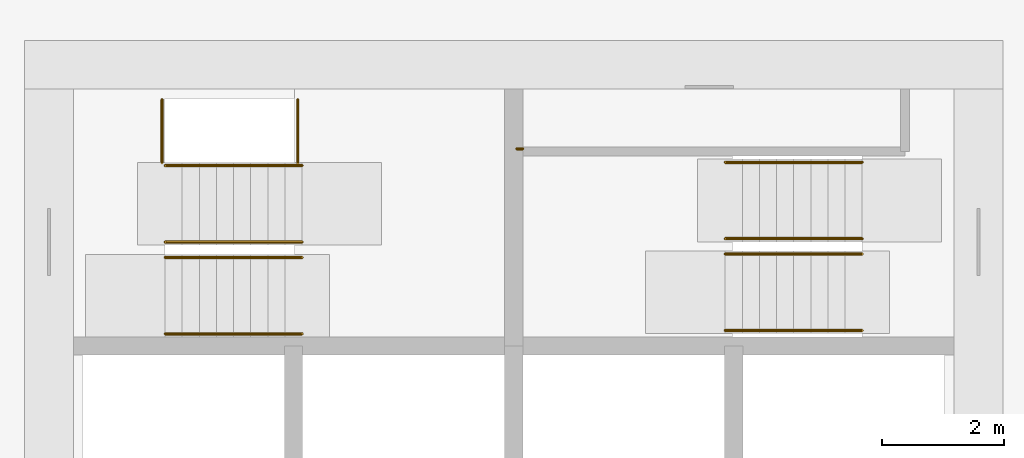
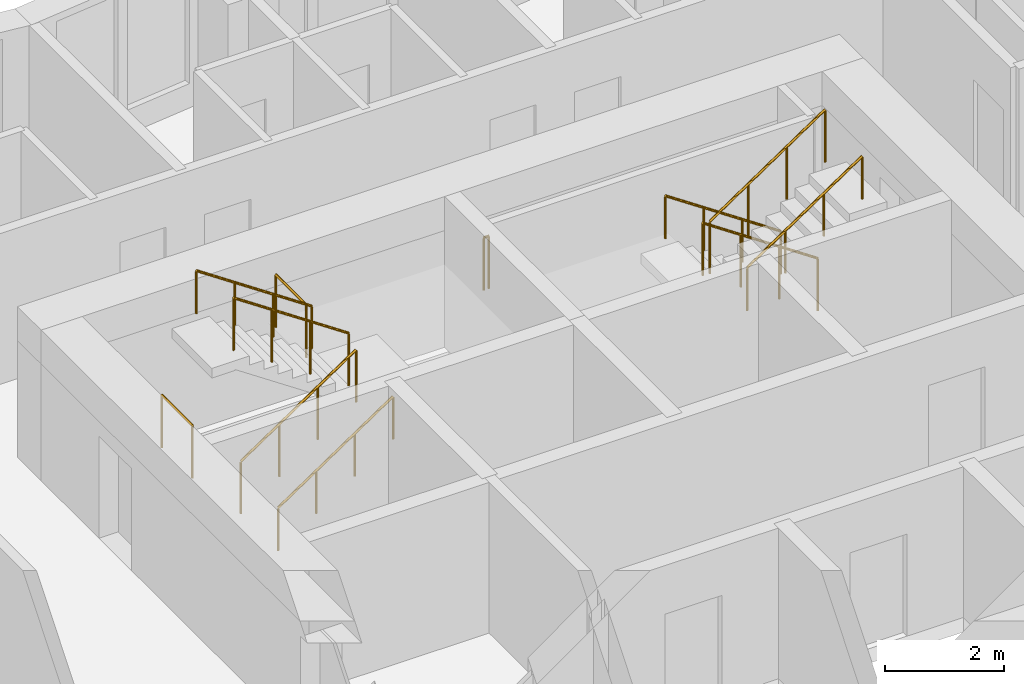
# One storey, part 12 of 13: 11 railings.
"""IFC4 building model written with IfcOpenShell, lengths in metres."""

from ifc_helpers import new_model, si_unit, direction, frame, origin, origin_2d, place, context, subcontext, project, spatial, circle, extrude, material, type_object, element, save


model = new_model("IFC4")

# Units and contexts
model_context = context("Model", 3, precision=1e-05, world=origin(), true_north=direction((0.0, 1.0)))
body_context = subcontext(model_context, "Body", "Model", "MODEL_VIEW")
ifc_project = project(units=[si_unit("LENGTHUNIT", "METRE"), si_unit("AREAUNIT", "SQUARE_METRE"), si_unit("VOLUMEUNIT", "CUBIC_METRE"), si_unit("PLANEANGLEUNIT", "RADIAN"), si_unit("MASSUNIT", "GRAM", prefix="KILO")], contexts=[model_context])

# Site, building, storey
site_placement = place(None, origin())
site = spatial("IfcSite", under=ifc_project, at=site_placement, CompositionType="ELEMENT")
building_placement = place(site_placement, origin())
building = spatial("IfcBuilding", under=site, at=building_placement, Name="Windrow Commons", CompositionType="ELEMENT")
storey_placement = place(building_placement, frame((0.0, 0.0, 98.2)))
storey = spatial("IfcBuildingStorey", under=building, at=storey_placement, Name="L26", CompositionType="ELEMENT", Elevation=98.2)

# Railings
ifc_material_1 = material(Name="Steel S355", Category="steel")
railing_type_1 = type_object("IfcRailingType", Name="Core stair guard 1100", PredefinedType="GUARDRAIL", material=ifc_material_1)
railing_1_placement = place(storey_placement, frame((59.1, 62.05, 0.1889)))
element("IfcRailing", 1, at=railing_1_placement, inside=storey, type_object=railing_type_1, Name="L26 ST-A1 stair guard 1", PredefinedType="GUARDRAIL", context=body_context, shape_type="SweptSolid", body=[
    extrude(circle(Radius=0.024, at=origin_2d()), frame((0.0, 0.0, 1.076), z_axis=(0.8290030985, 0.0, 0.5592440099), x_axis=(0.0, 1.0, 0.0)), (0.0, 0.0, 1.0), 2.702),
    extrude(circle(Radius=0.021, at=origin_2d()), origin(), (0.0, 0.0, 1.0), 1.052),
    extrude(circle(Radius=0.021, at=origin_2d()), frame((0.7467, 0.0, 0.5037)), (0.0, 0.0, 1.0), 1.052),
    extrude(circle(Radius=0.021, at=origin_2d()), frame((1.4933, 0.0, 1.0074)), (0.0, 0.0, 1.0), 1.052),
    extrude(circle(Radius=0.021, at=origin_2d()), frame((2.24, 0.0, 1.5111)), (0.0, 0.0, 1.0), 1.052),
])
railing_2_placement = place(storey_placement, frame((61.34, 62.3, 1.8889)))
element("IfcRailing", 2, at=railing_2_placement, inside=storey, type_object=railing_type_1, Name="L26 ST-A1 stair guard 2", PredefinedType="GUARDRAIL", context=body_context, shape_type="SweptSolid", body=[
    extrude(circle(Radius=0.024, at=origin_2d()), frame((0.0, 0.0, 1.076), z_axis=(-0.8290030985, 0.0, 0.5592440099), x_axis=(0.0, -1.0, 0.0)), (0.0, 0.0, 1.0), 2.702),
    extrude(circle(Radius=0.021, at=origin_2d()), origin(), (0.0, 0.0, 1.0), 1.052),
    extrude(circle(Radius=0.021, at=origin_2d()), frame((-0.7467, 0.0, 0.5037)), (0.0, 0.0, 1.0), 1.052),
    extrude(circle(Radius=0.021, at=origin_2d()), frame((-1.4933, 0.0, 1.0074)), (0.0, 0.0, 1.0), 1.052),
    extrude(circle(Radius=0.021, at=origin_2d()), frame((-2.24, 0.0, 1.5111)), (0.0, 0.0, 1.0), 1.052),
])
for number, where, name in (
    (3, (59.05, 63.6, 0.0), "L26 ST-A1 stair guard 3"),
    (4, (61.27, 63.6, 1.7), "L26 ST-A1 stair guard 4"),
):
    element("IfcRailing", number, at=place(storey_placement, frame(where)), inside=storey, type_object=railing_type_1, Name=name, PredefinedType="GUARDRAIL", context=body_context, shape_type="SweptSolid", body=[
        extrude(circle(Radius=0.024, at=origin_2d()), frame((0.0, 0.0, 1.076), z_axis=(0.0, 1.0, 0.0), x_axis=(-1.0, 0.0, 0.0)), (0.0, 0.0, 1.0), 1.03),
        extrude(circle(Radius=0.021, at=origin_2d()), origin(), (0.0, 0.0, 1.0), 1.052),
        extrude(circle(Radius=0.021, at=origin_2d()), frame((0.0, 1.03, 0.0)), (0.0, 0.0, 1.0), 1.052),
    ])
railing_3_placement = place(storey_placement, frame((70.5, 62.355, 0.1889)))
element("IfcRailing", 5, at=railing_3_placement, inside=storey, type_object=railing_type_1, Name="L26 ST-A2 stair guard 1", PredefinedType="GUARDRAIL", context=body_context, shape_type="SweptSolid", body=[
    extrude(circle(Radius=0.024, at=origin_2d()), frame((0.0, 0.0, 1.076), z_axis=(-0.8290030985, 0.0, 0.5592440099), x_axis=(0.0, -1.0, 0.0)), (0.0, 0.0, 1.0), 2.702),
    extrude(circle(Radius=0.021, at=origin_2d()), origin(), (0.0, 0.0, 1.0), 1.052),
    extrude(circle(Radius=0.021, at=origin_2d()), frame((-0.7467, 0.0, 0.5037)), (0.0, 0.0, 1.0), 1.052),
    extrude(circle(Radius=0.021, at=origin_2d()), frame((-1.4933, 0.0, 1.0074)), (0.0, 0.0, 1.0), 1.052),
    extrude(circle(Radius=0.021, at=origin_2d()), frame((-2.24, 0.0, 1.5111)), (0.0, 0.0, 1.0), 1.052),
])
railing_4_placement = place(storey_placement, frame((68.26, 62.105, 1.8889)))
element("IfcRailing", 6, at=railing_4_placement, inside=storey, type_object=railing_type_1, Name="L26 ST-A2 stair guard 2", PredefinedType="GUARDRAIL", context=body_context, shape_type="SweptSolid", body=[
    extrude(circle(Radius=0.024, at=origin_2d()), frame((0.0, 0.0, 1.076), z_axis=(0.8290030985, 0.0, 0.5592440099), x_axis=(0.0, 1.0, 0.0)), (0.0, 0.0, 1.0), 2.702),
    extrude(circle(Radius=0.021, at=origin_2d()), origin(), (0.0, 0.0, 1.0), 1.052),
    extrude(circle(Radius=0.021, at=origin_2d()), frame((0.7467, 0.0, 0.5037)), (0.0, 0.0, 1.0), 1.052),
    extrude(circle(Radius=0.021, at=origin_2d()), frame((1.4933, 0.0, 1.0074)), (0.0, 0.0, 1.0), 1.052),
    extrude(circle(Radius=0.021, at=origin_2d()), frame((2.24, 0.0, 1.5111)), (0.0, 0.0, 1.0), 1.052),
])
railing_5_placement = place(storey_placement, frame((64.95, 63.825, 1.7)))
element("IfcRailing", 7, at=railing_5_placement, inside=storey, type_object=railing_type_1, Name="L26 ST-A2 stair guard 3", PredefinedType="GUARDRAIL", context=body_context, shape_type="SweptSolid", body=[
    extrude(circle(Radius=0.024, at=origin_2d()), frame((0.0, 0.0, 1.076), z_axis=(-1.0, 0.0, 0.0), x_axis=(0.0, -1.0, 0.0)), (0.0, 0.0, 1.0), 0.1),
    extrude(circle(Radius=0.021, at=origin_2d()), origin(), (0.0, 0.0, 1.0), 1.052),
    extrude(circle(Radius=0.021, at=origin_2d()), frame((-0.1, 0.0, 0.0)), (0.0, 0.0, 1.0), 1.052),
])
ifc_material_2 = material(Name="Steel S355", Category="steel")
railing_type_2 = type_object("IfcRailingType", Name="Core stair handrail 900", PredefinedType="HANDRAIL", material=ifc_material_2)
railing_6_placement = place(storey_placement, frame((59.1, 60.8, 0.1889)))
element("IfcRailing", 8, at=railing_6_placement, inside=storey, type_object=railing_type_2, Name="L26 ST-A1 stair handrail 1", PredefinedType="HANDRAIL", context=body_context, shape_type="SweptSolid", body=[
    extrude(circle(Radius=0.024, at=origin_2d()), frame((0.0, 0.0, 0.876), z_axis=(0.8290030985, 0.0, 0.5592440099), x_axis=(0.0, 1.0, 0.0)), (0.0, 0.0, 1.0), 2.702),
    extrude(circle(Radius=0.021, at=origin_2d()), origin(), (0.0, 0.0, 1.0), 0.852),
    extrude(circle(Radius=0.021, at=origin_2d()), frame((0.7467, 0.0, 0.5037)), (0.0, 0.0, 1.0), 0.852),
    extrude(circle(Radius=0.021, at=origin_2d()), frame((1.4933, 0.0, 1.0074)), (0.0, 0.0, 1.0), 0.852),
    extrude(circle(Radius=0.021, at=origin_2d()), frame((2.24, 0.0, 1.5111)), (0.0, 0.0, 1.0), 0.852),
])
for number, where, name in (
    (9, (61.34, 63.55, 1.8889), "L26 ST-A1 stair handrail 2"),
    (10, (70.5, 63.605, 0.1889), "L26 ST-A2 stair handrail 1"),
):
    element("IfcRailing", number, at=place(storey_placement, frame(where)), inside=storey, type_object=railing_type_2, Name=name, PredefinedType="HANDRAIL", context=body_context, shape_type="SweptSolid", body=[
        extrude(circle(Radius=0.024, at=origin_2d()), frame((0.0, 0.0, 0.876), z_axis=(-0.8290030985, 0.0, 0.5592440099), x_axis=(0.0, -1.0, 0.0)), (0.0, 0.0, 1.0), 2.702),
        extrude(circle(Radius=0.021, at=origin_2d()), origin(), (0.0, 0.0, 1.0), 0.852),
        extrude(circle(Radius=0.021, at=origin_2d()), frame((-0.7467, 0.0, 0.5037)), (0.0, 0.0, 1.0), 0.852),
        extrude(circle(Radius=0.021, at=origin_2d()), frame((-1.4933, 0.0, 1.0074)), (0.0, 0.0, 1.0), 0.852),
        extrude(circle(Radius=0.021, at=origin_2d()), frame((-2.24, 0.0, 1.5111)), (0.0, 0.0, 1.0), 0.852),
    ])
railing_7_placement = place(storey_placement, frame((68.26, 60.855, 1.8889)))
element("IfcRailing", 11, at=railing_7_placement, inside=storey, type_object=railing_type_2, Name="L26 ST-A2 stair handrail 2", PredefinedType="HANDRAIL", context=body_context, shape_type="SweptSolid", body=[
    extrude(circle(Radius=0.024, at=origin_2d()), frame((0.0, 0.0, 0.876), z_axis=(0.8290030985, 0.0, 0.5592440099), x_axis=(0.0, 1.0, 0.0)), (0.0, 0.0, 1.0), 2.702),
    extrude(circle(Radius=0.021, at=origin_2d()), origin(), (0.0, 0.0, 1.0), 0.852),
    extrude(circle(Radius=0.021, at=origin_2d()), frame((0.7467, 0.0, 0.5037)), (0.0, 0.0, 1.0), 0.852),
    extrude(circle(Radius=0.021, at=origin_2d()), frame((1.4933, 0.0, 1.0074)), (0.0, 0.0, 1.0), 0.852),
    extrude(circle(Radius=0.021, at=origin_2d()), frame((2.24, 0.0, 1.5111)), (0.0, 0.0, 1.0), 0.852),
])

save(model, "model.ifc")
